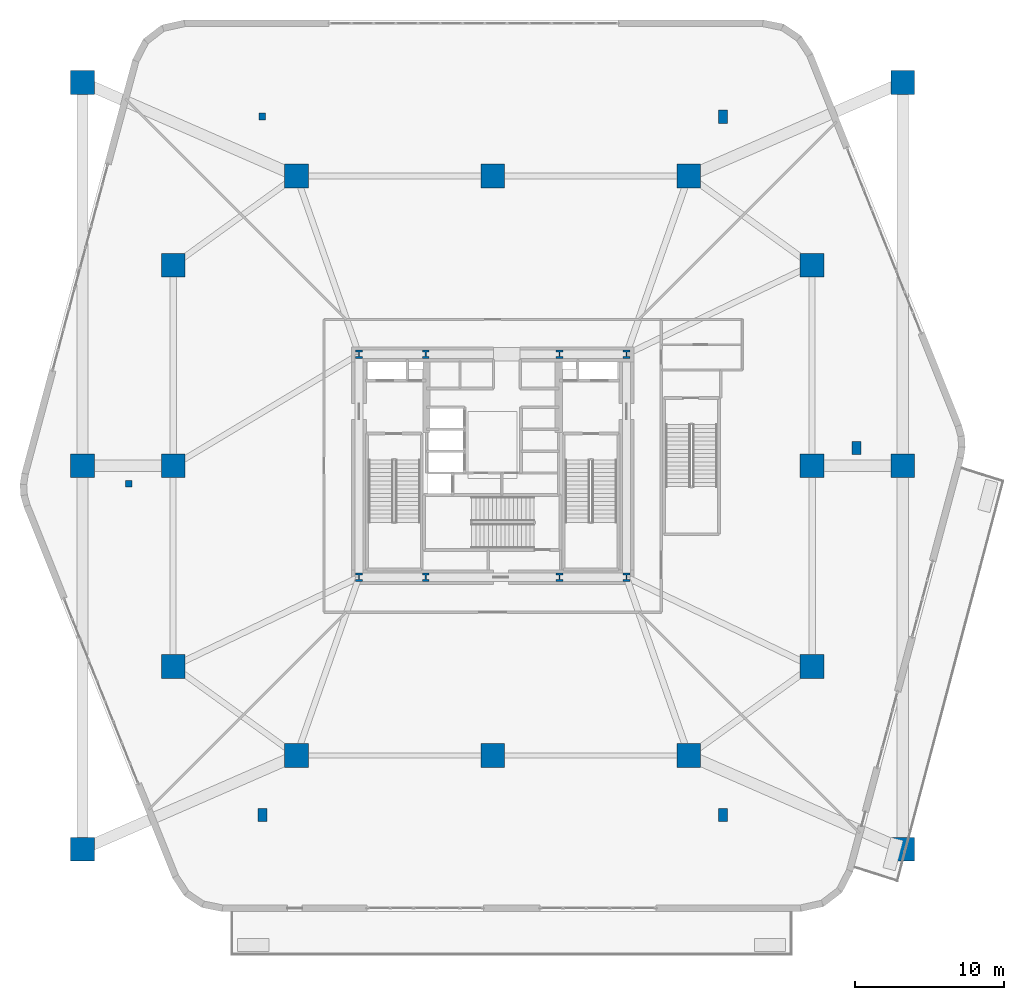
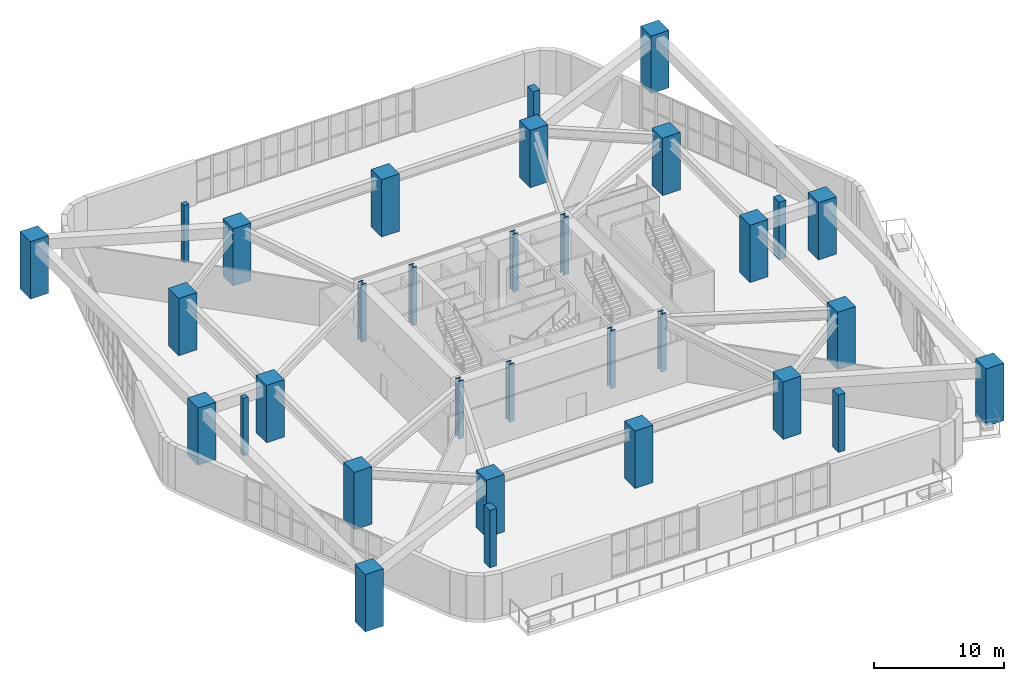
# One storey, part 1 of 34: 32 columns.
"""IFC4 building model written with IfcOpenShell, lengths in metres."""

from ifc_helpers import new_model, si_unit, direction, frame, origin, origin_2d, place, context, subcontext, project, spatial, rectangle, i_section, extrude, material, material_profile, profile_set, type_object, element, save


model = new_model("IFC4")

# Units and contexts
model_context = context("Model", 3, precision=1e-05, world=origin(), true_north=direction((0.0, 1.0)))
body_context = subcontext(model_context, "Body", "Model", "MODEL_VIEW")
ifc_project = project(units=[si_unit("LENGTHUNIT", "METRE"), si_unit("AREAUNIT", "SQUARE_METRE"), si_unit("VOLUMEUNIT", "CUBIC_METRE"), si_unit("PLANEANGLEUNIT", "RADIAN"), si_unit("MASSUNIT", "GRAM", prefix="KILO")], contexts=[model_context])

# Site, building, storey
site_placement = place(None, origin())
site = spatial("IfcSite", under=ifc_project, at=site_placement, CompositionType="ELEMENT")
building_placement = place(site_placement, origin())
building = spatial("IfcBuilding", under=site, at=building_placement, Name="Kilnhurst Terrace Hotel", CompositionType="ELEMENT")
storey_placement = place(building_placement, frame((0.0, 0.0, 6.0)))
storey = spatial("IfcBuildingStorey", under=building, at=storey_placement, Name="L01", CompositionType="ELEMENT", Elevation=6.0)

# Columns
ifc_material_1 = material(Name="Concrete C80/95", Category="concrete")
ifc_material_profile_1 = material_profile(ifc_material_1, rectangle(XDim=1.60009765625, YDim=1.60009765625, at=origin_2d()), Name="RC1600X1600")
ifc_profile_set_1 = profile_set([ifc_material_profile_1], Name="Concrete C80/95")
column_type_1 = type_object("IfcColumnType", Name="COL-RC-1600", PredefinedType="COLUMN", material=ifc_profile_set_1)
for number, where, z_axis, x_axis, name in (
    (1, (-21.5, -13.5, 0.0), (0.0, 0.0, 1.0), (1.0, 0.0, 0.0), "L01 Structural Column MC-W1"),
    (2, (-21.5, 0.0, 0.0), (0.0, 0.0, 1.0), (1.0, 0.0, 0.0), "L01 Structural Column MC-W2"),
    (3, (-21.5, 13.5, 0.0), (0.0, 0.0, 1.0), (1.0, 0.0, 0.0), "L01 Structural Column MC-W3"),
    (4, (21.5, -13.5, 0.0), (0.0, 0.0, 1.0), (1.0, 0.0, 0.0), "L01 Structural Column MC-E1"),
    (5, (21.5, 0.0, 0.0), (0.0, 0.0, 1.0), (1.0, 0.0, 0.0), "L01 Structural Column MC-E2"),
    (6, (21.5, 13.5, 0.0), (0.0, 0.0, 1.0), (1.0, 0.0, 0.0), "L01 Structural Column MC-E3"),
    (7, (-13.199951171875, -19.5, 0.0), (0.0, 0.0, 1.0), (1.0, 0.0, 0.0), "L01 Structural Column MC-S1"),
    (8, (13.199951171875, -19.5, 0.0), (0.0, 0.0, 1.0), (1.0, 0.0, 0.0), "L01 Structural Column MC-S2"),
    (9, (-13.199951171875, 19.5, 0.0), (0.0, 0.0, 1.0), (1.0, 0.0, 0.0), "L01 Structural Column MC-N1"),
    (10, (0.0, 19.5, 0.0), (0.0, 0.0, 1.0), (1.0, 0.0, 0.0), "L01 Structural Column MC-N2"),
    (11, (13.199951171875, 19.5, 0.0), (0.0, 0.0, 1.0), (1.0, 0.0, 0.0), "L01 Structural Column MC-N3"),
    (12, (-27.60009765625, -25.800048828125, 0.0), (0.0, 0.0, 1.0), (1.0, 0.0, 0.0), "L01 Structural Column BC-SW"),
    (13, (27.60009765625, -25.800048828125, 0.0), (0.0, 0.0, 1.0), (1.0, 0.0, 0.0), "L01 Structural Column BC-SE"),
    (14, (27.60009765625, 25.800048828125, 0.0), (0.0, 0.0, 1.0), (1.0, 0.0, 0.0), "L01 Structural Column BC-NE"),
    (15, (-27.60009765625, 25.800048828125, 0.0), (0.0, 0.0, 1.0), (1.0, 0.0, 0.0), "L01 Structural Column BC-NW"),
    (16, (-27.60009765625, 0.0, 0.0), (0.0, 0.0, 1.0), (1.0, 0.0, 0.0), "L01 Structural Column BC-W"),
    (17, (27.60009765625, 0.0, 0.0), (0.0, 0.0, 1.0), (1.0, 0.0, 0.0), "L01 Structural Column BC-E"),
    (18, (0.0, -19.5, 0.0), (0.0, 0.0, 1.0), (1.0, 0.0, 0.0), "L01 Structural Column MC-SB0"),
):
    element("IfcColumn", number, at=place(storey_placement, frame(where, z_axis=z_axis, x_axis=x_axis)), inside=storey, type_object=column_type_1, Name=name, PredefinedType="COLUMN", context=body_context, shape_type="SweptSolid", body=[
        extrude(rectangle(XDim=1.60009765625, YDim=1.60009765625, at=origin_2d()), origin(), (0.0, 0.0, 1.0), 5.39990234375),
    ])
ifc_material_2 = material(Name="Steel ASTM A992 Grade 50", Category="steel")
ifc_material_profile_2 = material_profile(ifc_material_2, i_section(OverallWidth=0.454345703125, OverallDepth=0.569091796875, WebThickness=0.077880859375, FlangeThickness=0.124755859375, at=origin_2d()), Name="W14X730")
ifc_profile_set_2 = profile_set([ifc_material_profile_2], Name="Steel ASTM A992 Grade 50")
column_type_2 = type_object("IfcColumnType", Name="COL-STL-W14X730", PredefinedType="COLUMN", material=ifc_profile_set_2)
for number, where, z_axis, x_axis, name in (
    (19, (-9.0, -7.5, 0.0), (0.0, 0.0, 1.0), (1.0, 0.0, 0.0), "L01 Structural Column CC-SW"),
    (20, (-4.5, -7.5, 0.0), (0.0, 0.0, 1.0), (1.0, 0.0, 0.0), "L01 Structural Column CC-SC1"),
    (21, (4.5, -7.5, 0.0), (0.0, 0.0, 1.0), (1.0, 0.0, 0.0), "L01 Structural Column CC-SC2"),
    (22, (9.0, -7.5, 0.0), (0.0, 0.0, 1.0), (1.0, 0.0, 0.0), "L01 Structural Column CC-SE"),
    (23, (9.0, 7.5, 0.0), (0.0, 0.0, 1.0), (1.0, 0.0, 0.0), "L01 Structural Column CC-NE"),
    (24, (4.5, 7.5, 0.0), (0.0, 0.0, 1.0), (1.0, 0.0, 0.0), "L01 Structural Column CC-NC2"),
    (25, (-4.5, 7.5, 0.0), (0.0, 0.0, 1.0), (1.0, 0.0, 0.0), "L01 Structural Column CC-NC1"),
    (26, (-9.0, 7.5, 0.0), (0.0, 0.0, 1.0), (1.0, 0.0, 0.0), "L01 Structural Column CC-NW"),
):
    element("IfcColumn", number, at=place(storey_placement, frame(where, z_axis=z_axis, x_axis=x_axis)), inside=storey, type_object=column_type_2, Name=name, PredefinedType="COLUMN", context=body_context, shape_type="SweptSolid", body=[
        extrude(i_section(OverallWidth=0.454345703125, OverallDepth=0.569091796875, WebThickness=0.077880859375, FlangeThickness=0.124755859375, at=origin_2d()), origin(), (0.0, 0.0, 1.0), 5.39990234375),
    ])
ifc_material_3 = material(Name="Concrete C50/60", Category="concrete")
ifc_material_profile_3 = material_profile(ifc_material_3, rectangle(XDim=0.449951171875, YDim=0.449951171875, at=origin_2d()), Name="RC450X450")
ifc_profile_set_3 = profile_set([ifc_material_profile_3], Name="Concrete C50/60")
column_type_3 = type_object("IfcColumnType", Name="PIL-RC-450X450", PredefinedType="PILASTER", material=ifc_profile_set_3)
for number, where, z_axis, x_axis, name in (
    (27, (-15.5, 23.5, 0.0), (0.0, 0.0, 1.0), (1.0, 0.0, 0.0), "L01 Continuous Structural Pilaster PIL5"),
    (28, (-24.5, -1.199951171875, 0.0), (0.0, 0.0, 1.0), (1.0, 0.0, 0.0), "L01 Continuous Structural Pilaster PIL6"),
):
    element("IfcColumn", number, at=place(storey_placement, frame(where, z_axis=z_axis, x_axis=x_axis)), inside=storey, type_object=column_type_3, Name=name, PredefinedType="PILASTER", context=body_context, shape_type="SweptSolid", body=[
        extrude(rectangle(XDim=0.449951171875, YDim=0.449951171875, at=origin_2d()), origin(), (0.0, 0.0, 1.0), 5.39990234375),
    ])
ifc_material_4 = material(Name="Concrete C60/75", Category="concrete")
ifc_material_profile_4 = material_profile(ifc_material_4, rectangle(XDim=0.60009765625, YDim=0.89990234375, at=origin_2d()), Name="RC600X900")
ifc_profile_set_4 = profile_set([ifc_material_profile_4], Name="Concrete C60/75")
column_type_4 = type_object("IfcColumnType", Name="PIL-RC-600X900", PredefinedType="PILASTER", material=ifc_profile_set_4)
for number, where, z_axis, x_axis, name in (
    (29, (-15.5, -23.5, 0.0), (0.0, 0.0, 1.0), (1.0, 0.0, 0.0), "L01 Continuous Structural Pilaster PIL1"),
    (30, (15.5, -23.5, 0.0), (0.0, 0.0, 1.0), (1.0, 0.0, 0.0), "L01 Continuous Structural Pilaster PIL2"),
    (31, (24.5, 1.199951171875, 0.0), (0.0, 0.0, 1.0), (1.0, 0.0, 0.0), "L01 Continuous Structural Pilaster PIL3"),
    (32, (15.5, 23.5, 0.0), (0.0, 0.0, 1.0), (1.0, 0.0, 0.0), "L01 Continuous Structural Pilaster PIL4"),
):
    element("IfcColumn", number, at=place(storey_placement, frame(where, z_axis=z_axis, x_axis=x_axis)), inside=storey, type_object=column_type_4, Name=name, PredefinedType="PILASTER", context=body_context, shape_type="SweptSolid", body=[
        extrude(rectangle(XDim=0.60009765625, YDim=0.89990234375, at=origin_2d()), origin(), (0.0, 0.0, 1.0), 5.39990234375),
    ])

save(model, "model.ifc")
